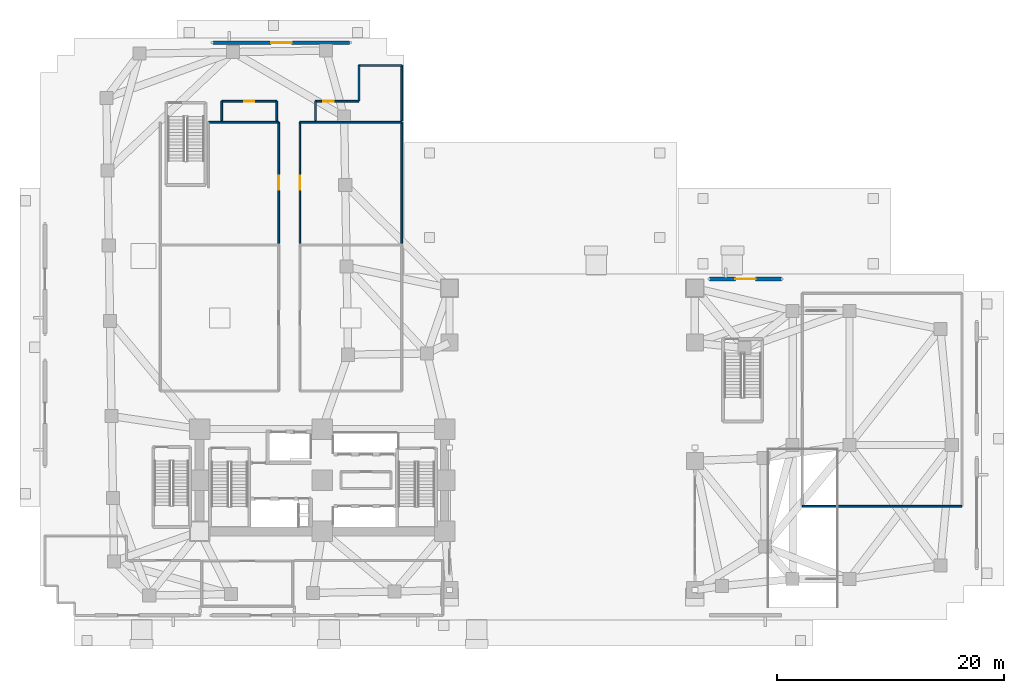
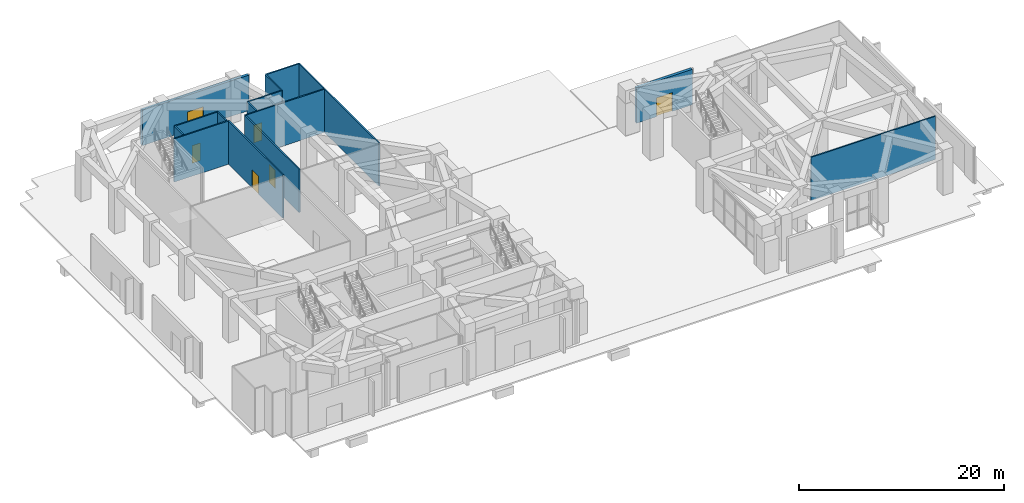
# One storey, part 12 of 19: 16 walls, 6 doors, 6 openings.
"""IFC4 building model written with IfcOpenShell, lengths in metres."""

from ifc_helpers import new_model, si_unit, direction, frame, frame_2d, origin, place, context, subcontext, project, spatial, rectangle, extrude, material, layer, layer_set, type_object, element, fill, save


model = new_model("IFC4")

# Units and contexts
model_context = context("Model", 3, precision=1e-05, world=origin(), true_north=direction((0.0, 1.0)))
body_context = subcontext(model_context, "Body", "Model", "MODEL_VIEW")
ifc_project = project(units=[si_unit("LENGTHUNIT", "METRE"), si_unit("AREAUNIT", "SQUARE_METRE"), si_unit("VOLUMEUNIT", "CUBIC_METRE"), si_unit("PLANEANGLEUNIT", "RADIAN"), si_unit("MASSUNIT", "GRAM", prefix="KILO")], contexts=[model_context])

# Site, building, storey
site_placement = place(None, origin())
site = spatial("IfcSite", under=ifc_project, at=site_placement, CompositionType="ELEMENT")
building_placement = place(site_placement, origin())
building = spatial("IfcBuilding", under=site, at=building_placement, Name="Gaonmaruhae Medical Tower", CompositionType="ELEMENT")
storey_placement = place(building_placement, origin())
storey = spatial("IfcBuildingStorey", under=building, at=storey_placement, Name="L00", CompositionType="ELEMENT", Elevation=0.0)

# Wall, opening, door
ifc_material_1 = material(Name="Precast concrete C45/55", Category="concrete")
ifc_layer_1 = layer(ifc_material_1, 0.320068359375)
ifc_layer_set_1 = layer_set([ifc_layer_1], Name="Precast concrete C45/55")
wall_type_1 = type_object("IfcWallType", Name="EW-320 Lower Precast Masonry-Frame Facade Wall", PredefinedType="SOLIDWALL", material=ifc_layer_set_1)
wall_1_placement = place(storey_placement, frame((58.89990234375, 30.0, 0.0), z_axis=(0.0, 0.0, 1.0), x_axis=(1.0, 0.0, 0.0)))
wall_1 = element("IfcWall", 1, at=wall_1_placement, inside=storey, type_object=wall_type_1, Name="L00 Precast Facade Wall PB-N1", PredefinedType="SOLIDWALL", context=body_context, shape_type="SweptSolid", body=[
    extrude(rectangle(XDim=6.300048828125, YDim=0.320068359375, at=frame_2d((3.14990234375, 0.0))), origin(), (0.0, 0.0, 1.0), 4.22998046875),
])
opening_1_placement = place(wall_1_placement, frame((2.25, 0.0, 0.0)))
opening_1 = element("IfcOpeningElement", 2, at=opening_1_placement, cuts=wall_1, Name="Opening EX-D1", PredefinedType="OPENING", context=body_context, shape_type="SweptSolid", body=[
    extrude(rectangle(XDim=1.800048828125, YDim=2.25, at=frame_2d((0.89990234375, 1.125))), frame((0.0, 0.169921875, 0.0), z_axis=(0.0, -1.0, 0.0), x_axis=(1.0, 0.0, 0.0)), (0.0, 0.0, 1.0), 0.340087890625),
])
ifc_material_2 = material(Name="Anodised aluminium and toughened safety glass", Category="aluminium")
door_type_1 = type_object("IfcDoorType", Name="EX-D1 Ground Final Exit Double Door 1800x2250", OperationType="NOTDEFINED", PredefinedType="DOOR", material=ifc_material_2)
door_1_placement = place(opening_1_placement, origin())
door_1 = element("IfcDoor", 3, at=door_1_placement, inside=storey, type_object=door_type_1, Name="L00 Final Pedestrian Exit Door EX-07", OperationType="DOUBLE_DOOR_SINGLE_SWING", OverallHeight=2.25, OverallWidth=1.800048828125, PredefinedType="DOOR", context=body_context, shape_type="SweptSolid", body=[
    extrude(rectangle(XDim=1.800048828125, YDim=2.25, at=frame_2d((0.89990234375, 1.125))), frame((0.0, 0.02490234375, 0.0), z_axis=(0.0, -1.0, 0.0), x_axis=(1.0, 0.0, 0.0)), (0.0, 0.0, 1.0), 0.050048828125),
])
fill(opening_1, door_1)

wall_2_placement = place(storey_placement, frame((15.199951171875, 50.800048828125, 0.0), z_axis=(0.0, 0.0, 1.0), x_axis=(1.0, 0.0, 0.0)))
wall_2 = element("IfcWall", 4, at=wall_2_placement, inside=storey, type_object=wall_type_1, Name="L00 Precast Facade Wall PB-N2", PredefinedType="SOLIDWALL", context=body_context, shape_type="SweptSolid", body=[
    extrude(rectangle(XDim=12.0, YDim=0.320068359375, at=frame_2d((6.0, 0.0))), origin(), (0.0, 0.0, 1.0), 4.22998046875),
])
opening_2_placement = place(wall_2_placement, frame((5.10009765625, 0.0, 0.0)))
opening_2 = element("IfcOpeningElement", 5, at=opening_2_placement, cuts=wall_2, Name="Opening EX-D1", PredefinedType="OPENING", context=body_context, shape_type="SweptSolid", body=[
    extrude(rectangle(XDim=1.800048828125, YDim=2.25, at=frame_2d((0.89990234375, 1.125))), frame((0.0, 0.169921875, 0.0), z_axis=(0.0, -1.0, 0.0), x_axis=(1.0, 0.0, 0.0)), (0.0, 0.0, 1.0), 0.340087890625),
])
door_2_placement = place(opening_2_placement, origin())
door_2 = element("IfcDoor", 6, at=door_2_placement, inside=storey, type_object=door_type_1, Name="L00 Final Pedestrian Exit Door EX-04", OperationType="DOUBLE_DOOR_SINGLE_SWING", OverallHeight=2.25, OverallWidth=1.800048828125, PredefinedType="DOOR", context=body_context, shape_type="SweptSolid", body=[
    extrude(rectangle(XDim=1.800048828125, YDim=2.25, at=frame_2d((0.89990234375, 1.125))), frame((0.0, 0.02490234375, 0.0), z_axis=(0.0, -1.0, 0.0), x_axis=(1.0, 0.0, 0.0)), (0.0, 0.0, 1.0), 0.050048828125),
])
fill(opening_2, door_2)

# Wall
ifc_material_3 = material(Name="Gypsum board partition", Category="gypsum")
ifc_layer_2 = layer(ifc_material_3, 0.14990234375)
ifc_layer_set_2 = layer_set([ifc_layer_2], Name="Gypsum board partition")
wall_type_2 = type_object("IfcWallType", Name="PW-150 Rated Clinical Corridor Partition", PredefinedType="PARTITIONING", material=ifc_layer_set_2)
wall_3_placement = place(storey_placement, frame((14.800048828125, 43.800048828125, 0.0), z_axis=(0.0, 0.0, 1.0), x_axis=(1.0, 0.0, 0.0)))
element("IfcWall", 7, at=wall_3_placement, inside=storey, type_object=wall_type_2, Name="L00 Interior Partition L00-OBS1-35", PredefinedType="PARTITIONING", context=body_context, shape_type="SweptSolid", body=[
    extrude(rectangle(XDim=6.169921875, YDim=0.14990234375, at=frame_2d((3.0849609375, 0.0))), origin(), (0.0, 0.0, 1.0), 5.14990234375),
])

# Wall, opening, door
wall_4_placement = place(storey_placement, frame((20.969970703125, 43.800048828125, 0.0), z_axis=(0.0, 0.0, 1.0), x_axis=(0.0, -1.0, 0.0)))
wall_4 = element("IfcWall", 8, at=wall_4_placement, inside=storey, type_object=wall_type_2, Name="L00 Interior Partition L00-OBS1-36", PredefinedType="PARTITIONING", context=body_context, shape_type="SweptSolid", body=[
    extrude(rectangle(XDim=10.650146484375, YDim=0.14990234375, at=frame_2d((5.3251953125, 0.0))), origin(), (0.0, 0.0, 1.0), 5.14990234375),
])
opening_3_placement = place(wall_4_placement, frame((4.72509765625, 0.0, 0.0)))
opening_3 = element("IfcOpeningElement", 9, at=opening_3_placement, cuts=wall_4, Name="Opening CD-02", PredefinedType="OPENING", context=body_context, shape_type="SweptSolid", body=[
    extrude(rectangle(XDim=1.199951171875, YDim=2.14990234375, at=frame_2d((0.60009765625, 1.074951171875))), frame((0.0, 0.0849609375, 0.0), z_axis=(0.0, -1.0, 0.0), x_axis=(1.0, 0.0, 0.0)), (0.0, 0.0, 1.0), 0.169921875),
])
ifc_material_4 = material(Name="Antimicrobial laminate timber fire door", Category="wood")
door_type_2 = type_object("IfcDoorType", Name="CD-02 Clinical Treatment & Procedure Door 1200x2150", OperationType="NOTDEFINED", PredefinedType="DOOR", material=ifc_material_4)
door_3_placement = place(opening_3_placement, origin())
door_3 = element("IfcDoor", 10, at=door_3_placement, inside=storey, type_object=door_type_2, Name="L00 Acute Observation Ward Unit A Door", OperationType="SINGLE_SWING_RIGHT", OverallHeight=2.14990234375, OverallWidth=1.199951171875, PredefinedType="DOOR", context=body_context, shape_type="SweptSolid", body=[
    extrude(rectangle(XDim=1.199951171875, YDim=2.14990234375, at=frame_2d((0.60009765625, 1.074951171875))), frame((0.0, 0.02490234375, 0.0), z_axis=(0.0, -1.0, 0.0), x_axis=(1.0, 0.0, 0.0)), (0.0, 0.0, 1.0), 0.050048828125),
])
fill(opening_3, door_3)

# Wall
wall_5_placement = place(storey_placement, frame((31.800048828125, 43.800048828125, 0.0), z_axis=(0.0, 0.0, 1.0), x_axis=(0.0, -1.0, 0.0)))
element("IfcWall", 11, at=wall_5_placement, inside=storey, type_object=wall_type_2, Name="L00 Interior Partition L00-OBS2-37", PredefinedType="PARTITIONING", context=body_context, shape_type="SweptSolid", body=[
    extrude(rectangle(XDim=10.650146484375, YDim=0.14990234375, at=frame_2d((5.3251953125, 0.0))), origin(), (0.0, 0.0, 1.0), 5.14990234375),
])

# Wall, opening, door
wall_6_placement = place(storey_placement, frame((22.830078125, 33.14990234375, 0.0), z_axis=(0.0, 0.0, 1.0), x_axis=(0.0, 1.0, 0.0)))
wall_6 = element("IfcWall", 12, at=wall_6_placement, inside=storey, type_object=wall_type_2, Name="L00 Interior Partition L00-OBS2-38", PredefinedType="PARTITIONING", context=body_context, shape_type="SweptSolid", body=[
    extrude(rectangle(XDim=10.650146484375, YDim=0.14990234375, at=frame_2d((5.3251953125, 0.0))), origin(), (0.0, 0.0, 1.0), 5.14990234375),
])
opening_4_placement = place(wall_6_placement, frame((4.72509765625, 0.0, 0.0)))
opening_4 = element("IfcOpeningElement", 13, at=opening_4_placement, cuts=wall_6, Name="Opening CD-02", PredefinedType="OPENING", context=body_context, shape_type="SweptSolid", body=[
    extrude(rectangle(XDim=1.199951171875, YDim=2.14990234375, at=frame_2d((0.60009765625, 1.074951171875))), frame((0.0, 0.0849609375, 0.0), z_axis=(0.0, -1.0, 0.0), x_axis=(1.0, 0.0, 0.0)), (0.0, 0.0, 1.0), 0.169921875),
])
door_4_placement = place(opening_4_placement, origin())
door_4 = element("IfcDoor", 14, at=door_4_placement, inside=storey, type_object=door_type_2, Name="L00 Acute Observation Ward Unit B Door", OperationType="SINGLE_SWING_RIGHT", OverallHeight=2.14990234375, OverallWidth=1.199951171875, PredefinedType="DOOR", context=body_context, shape_type="SweptSolid", body=[
    extrude(rectangle(XDim=1.199951171875, YDim=2.14990234375, at=frame_2d((0.60009765625, 1.074951171875))), frame((0.0, 0.02490234375, 0.0), z_axis=(0.0, -1.0, 0.0), x_axis=(1.0, 0.0, 0.0)), (0.0, 0.0, 1.0), 0.050048828125),
])
fill(opening_4, door_4)

# Walls
wall_7_placement = place(storey_placement, frame((22.830078125, 43.800048828125, 0.0), z_axis=(0.0, 0.0, 1.0), x_axis=(1.0, 0.0, 0.0)))
element("IfcWall", 15, at=wall_7_placement, inside=storey, type_object=wall_type_2, Name="L00 Interior Partition L00-OBS2-39", PredefinedType="PARTITIONING", context=body_context, shape_type="SweptSolid", body=[
    extrude(rectangle(XDim=8.969970703125, YDim=0.14990234375, at=frame_2d((4.48486328125, 0.0))), origin(), (0.0, 0.0, 1.0), 5.14990234375),
])
wall_8_placement = place(storey_placement, frame((15.949951171875, 43.949951171875, 0.0), z_axis=(0.0, 0.0, 1.0), x_axis=(0.0, 1.0, 0.0)))
element("IfcWall", 16, at=wall_8_placement, inside=storey, type_object=wall_type_2, Name="L00 Interior Partition L00-AWC-40", PredefinedType="PARTITIONING", context=body_context, shape_type="SweptSolid", body=[
    extrude(rectangle(XDim=1.699951171875, YDim=0.14990234375, at=frame_2d((0.85009765625, 0.0))), origin(), (0.0, 0.0, 1.0), 5.14990234375),
])

# Wall, opening, door
wall_9_placement = place(storey_placement, frame((15.949951171875, 45.64990234375, 0.0), z_axis=(0.0, 0.0, 1.0), x_axis=(1.0, 0.0, 0.0)))
wall_9 = element("IfcWall", 17, at=wall_9_placement, inside=storey, type_object=wall_type_2, Name="L00 Interior Partition L00-AWC-41", PredefinedType="PARTITIONING", context=body_context, shape_type="SweptSolid", body=[
    extrude(rectangle(XDim=4.85009765625, YDim=0.14990234375, at=frame_2d((2.425048828125, 0.0))), origin(), (0.0, 0.0, 1.0), 5.14990234375),
])
opening_5_placement = place(wall_9_placement, frame((1.965087890625, 0.0, 0.0)))
opening_5 = element("IfcOpeningElement", 18, at=opening_5_placement, cuts=wall_9, Name="Opening UD-01", PredefinedType="OPENING", context=body_context, shape_type="SweptSolid", body=[
    extrude(rectangle(XDim=0.919921875, YDim=2.10009765625, at=frame_2d((0.4599609375, 1.050048828125))), frame((0.0, 0.0849609375, 0.0), z_axis=(0.0, -1.0, 0.0), x_axis=(1.0, 0.0, 0.0)), (0.0, 0.0, 1.0), 0.169921875),
])
ifc_material_5 = material(Name="Powder-coated steel utility door", Category="steel")
door_type_3 = type_object("IfcDoorType", Name="UD-01 Toilet, Utility & Housekeeping Door 920x2100", OperationType="NOTDEFINED", PredefinedType="DOOR", material=ifc_material_5)
door_5_placement = place(opening_5_placement, origin())
door_5 = element("IfcDoor", 19, at=door_5_placement, inside=storey, type_object=door_type_3, Name="L00 Ground Accessible Public Toilet Door", OperationType="SINGLE_SWING_LEFT", OverallHeight=2.10009765625, OverallWidth=0.919921875, PredefinedType="DOOR", context=body_context, shape_type="SweptSolid", body=[
    extrude(rectangle(XDim=0.919921875, YDim=2.10009765625, at=frame_2d((0.4599609375, 1.050048828125))), frame((0.0, 0.02490234375, 0.0), z_axis=(0.0, -1.0, 0.0), x_axis=(1.0, 0.0, 0.0)), (0.0, 0.0, 1.0), 0.050048828125),
])
fill(opening_5, door_5)

# Walls
wall_10_placement = place(storey_placement, frame((20.800048828125, 45.64990234375, 0.0), z_axis=(0.0, 0.0, 1.0), x_axis=(0.0, -1.0, 0.0)))
element("IfcWall", 20, at=wall_10_placement, inside=storey, type_object=wall_type_2, Name="L00 Interior Partition L00-AWC-42", PredefinedType="PARTITIONING", context=body_context, shape_type="SweptSolid", body=[
    extrude(rectangle(XDim=1.699951171875, YDim=0.14990234375, at=frame_2d((0.85009765625, 0.0))), origin(), (0.0, 0.0, 1.0), 5.14990234375),
])
wall_11_placement = place(storey_placement, frame((28.030029296875, 45.679931640625, 0.0), z_axis=(0.0, 0.0, 1.0), x_axis=(0.0, 1.0, 0.0)))
element("IfcWall", 21, at=wall_11_placement, inside=storey, type_object=wall_type_2, Name="L00 Interior Partition L00-HSK-43", PredefinedType="PARTITIONING", context=body_context, shape_type="SweptSolid", body=[
    extrude(rectangle(XDim=3.1201171875, YDim=0.14990234375, at=frame_2d((1.56005859375, 0.0))), origin(), (0.0, 0.0, 1.0), 5.14990234375),
])
wall_12_placement = place(storey_placement, frame((28.030029296875, 48.800048828125, 0.0), z_axis=(0.0, 0.0, 1.0), x_axis=(1.0, 0.0, 0.0)))
element("IfcWall", 22, at=wall_12_placement, inside=storey, type_object=wall_type_2, Name="L00 Interior Partition L00-HSK-44", PredefinedType="PARTITIONING", context=body_context, shape_type="SweptSolid", body=[
    extrude(rectangle(XDim=3.77001953125, YDim=0.14990234375, at=frame_2d((1.885009765625, 0.0))), origin(), (0.0, 0.0, 1.0), 5.14990234375),
])
wall_13_placement = place(storey_placement, frame((31.800048828125, 48.800048828125, 0.0), z_axis=(0.0, 0.0, 1.0), x_axis=(0.0, -1.0, 0.0)))
element("IfcWall", 23, at=wall_13_placement, inside=storey, type_object=wall_type_2, Name="L00 Interior Partition L00-HSK-45", PredefinedType="PARTITIONING", context=body_context, shape_type="SweptSolid", body=[
    extrude(rectangle(XDim=4.85009765625, YDim=0.14990234375, at=frame_2d((2.425048828125, 0.0))), origin(), (0.0, 0.0, 1.0), 5.14990234375),
])
wall_14_placement = place(storey_placement, frame((24.199951171875, 43.949951171875, 0.0), z_axis=(0.0, 0.0, 1.0), x_axis=(0.0, 1.0, 0.0)))
element("IfcWall", 24, at=wall_14_placement, inside=storey, type_object=wall_type_2, Name="L00 Interior Partition L00-HSK-46", PredefinedType="PARTITIONING", context=body_context, shape_type="SweptSolid", body=[
    extrude(rectangle(XDim=1.699951171875, YDim=0.14990234375, at=frame_2d((0.85009765625, 0.0))), origin(), (0.0, 0.0, 1.0), 5.14990234375),
])

# Wall, opening, door
wall_15_placement = place(storey_placement, frame((24.199951171875, 45.64990234375, 0.0), z_axis=(0.0, 0.0, 1.0), x_axis=(1.0, 0.0, 0.0)))
wall_15 = element("IfcWall", 25, at=wall_15_placement, inside=storey, type_object=wall_type_2, Name="L00 Interior Partition L00-HSK-47", PredefinedType="PARTITIONING", context=body_context, shape_type="SweptSolid", body=[
    extrude(rectangle(XDim=3.802978515625, YDim=0.14990234375, at=frame_2d((1.9013671875, 0.0))), origin(), (0.0, 0.0, 1.0), 5.14990234375),
])
opening_6_placement = place(wall_15_placement, frame((0.6748046875, 0.0, 0.0)))
opening_6 = element("IfcOpeningElement", 26, at=opening_6_placement, cuts=wall_15, Name="Opening UD-01", PredefinedType="OPENING", context=body_context, shape_type="SweptSolid", body=[
    extrude(rectangle(XDim=0.919921875, YDim=2.10009765625, at=frame_2d((0.4599609375, 1.050048828125))), frame((0.0, 0.0849609375, 0.0), z_axis=(0.0, -1.0, 0.0), x_axis=(1.0, 0.0, 0.0)), (0.0, 0.0, 1.0), 0.169921875),
])
door_6_placement = place(opening_6_placement, origin())
door_6 = element("IfcDoor", 27, at=door_6_placement, inside=storey, type_object=door_type_3, Name="L00 Ground Housekeeping and Linen Utility Room Door", OperationType="SINGLE_SWING_LEFT", OverallHeight=2.10009765625, OverallWidth=0.919921875, PredefinedType="DOOR", context=body_context, shape_type="SweptSolid", body=[
    extrude(rectangle(XDim=0.919921875, YDim=2.10009765625, at=frame_2d((0.4599609375, 1.050048828125))), frame((0.0, 0.02490234375, 0.0), z_axis=(0.0, -1.0, 0.0), x_axis=(1.0, 0.0, 0.0)), (0.0, 0.0, 1.0), 0.050048828125),
])
fill(opening_6, door_6)

# Wall
wall_16_placement = place(storey_placement, frame((81.10009765625, 10.0, 0.0), z_axis=(0.0, 0.0, 1.0), x_axis=(-1.0, 0.0, 0.0)))
element("IfcWall", 28, at=wall_16_placement, inside=storey, type_object=wall_type_2, Name="L00 Interior Partition L00-EDP-50", PredefinedType="PARTITIONING", context=body_context, shape_type="SweptSolid", body=[
    extrude(rectangle(XDim=14.050048828125, YDim=0.14990234375, at=frame_2d((7.02490234375, 0.0))), origin(), (0.0, 0.0, 1.0), 5.14990234375),
])

save(model, "model.ifc")
